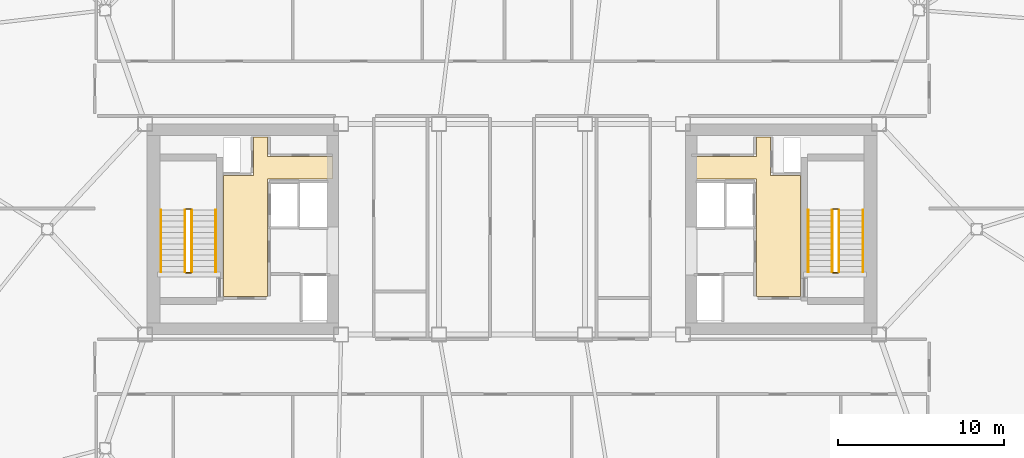
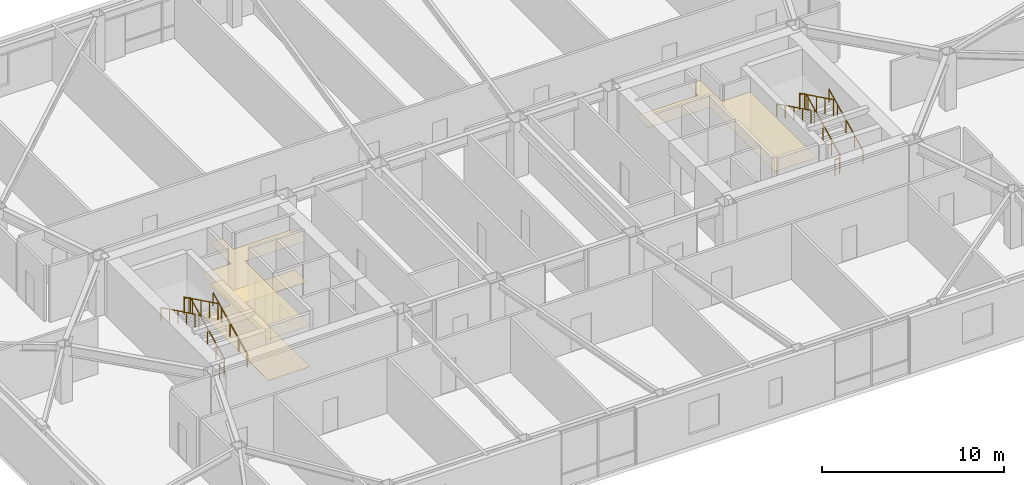
# One storey, part 18 of 18: 12 railings, 3 coverings.
"""IFC4 building model written with IfcOpenShell, lengths in metres."""

from ifc_helpers import new_model, si_unit, direction, frame, origin, origin_2d, place, context, subcontext, project, spatial, polyline, rectangle, outline, extrude, material, layer, layer_set, type_object, element, save


model = new_model("IFC4")

# Units and contexts
model_context = context("Model", 3, precision=1e-05, world=origin(), true_north=direction((0.0, 1.0)))
body_context = subcontext(model_context, "Body", "Model", "MODEL_VIEW")
ifc_project = project(units=[si_unit("LENGTHUNIT", "METRE"), si_unit("AREAUNIT", "SQUARE_METRE"), si_unit("VOLUMEUNIT", "CUBIC_METRE"), si_unit("PLANEANGLEUNIT", "RADIAN"), si_unit("MASSUNIT", "GRAM", prefix="KILO")], contexts=[model_context])

# Site, building, storey
site_placement = place(None, origin())
site = spatial("IfcSite", under=ifc_project, at=site_placement, CompositionType="ELEMENT")
building_placement = place(site_placement, origin())
building = spatial("IfcBuilding", under=site, at=building_placement, Name="Tavrogorsk Clinical Tower", CompositionType="ELEMENT")
storey_placement = place(building_placement, frame((0.0, 0.0, 196.199951171875)))
storey = spatial("IfcBuildingStorey", under=building, at=storey_placement, Name="L45", CompositionType="ELEMENT", Elevation=196.199951171875)

# Coverings
ifc_material_1 = material(Name="Antibacterial micro-perforated aluminium ceiling", Category="aluminium")
ifc_layer_1 = layer(ifc_material_1, 0.014892578125)
ifc_layer_set_1 = layer_set([ifc_layer_1], Name="Antibacterial micro-perforated aluminium ceiling")
covering_type_1 = type_object("IfcCoveringType", Name="ClinicalCeiling_15", PredefinedType="CEILING", material=ifc_layer_set_1)
covering_1_placement = place(storey_placement, frame((0.0, 0.0, 2.75)))
element("IfcCovering", 1, at=covering_1_placement, inside=storey, type_object=covering_type_1, Name="Core West Firefighting Lift Lobby Acoustic Ceiling", PredefinedType="CEILING", context=body_context, shape_type="SweptSolid", body=[
    extrude(outline(polyline([(-14.719970703125, 4.3798828125), (-10.800048828125, 4.3798828125), (-10.800048828125, 3.0400390625), (-14.719970703125, 3.0400390625), (-14.719970703125, -4.06005859375), (-17.3798828125, -4.06005859375), (-17.3798828125, 3.239990234375), (-15.56005859375, 3.239990234375), (-15.56005859375, 5.56005859375), (-14.719970703125, 5.56005859375), (-14.719970703125, 4.3798828125)])), origin(), (0.0, 0.0, 1.0), 0.01513671875),
])
covering_2_placement = place(storey_placement, frame((0.0, 0.0, 2.75)))
element("IfcCovering", 2, at=covering_2_placement, inside=storey, type_object=covering_type_1, Name="Core East Firefighting Lift Lobby Acoustic Ceiling", PredefinedType="CEILING", context=body_context, shape_type="SweptSolid", body=[
    extrude(outline(polyline([(14.719970703125, -4.06005859375), (14.719970703125, 3.0400390625), (10.800048828125, 3.0400390625), (10.800048828125, 4.3798828125), (14.719970703125, 4.3798828125), (14.719970703125, 5.56005859375), (15.56005859375, 5.56005859375), (15.56005859375, 3.239990234375), (17.3798828125, 3.239990234375), (17.3798828125, -4.06005859375), (14.719970703125, -4.06005859375)])), origin(), (0.0, 0.0, 1.0), 0.01513671875),
])
ifc_material_2 = material(Name="Homogeneous medical conductive PVC flooring")
ifc_layer_2 = layer(ifc_material_2, 0.008056640625)
ifc_layer_set_2 = layer_set([ifc_layer_2], Name="Homogeneous medical conductive PVC flooring")
covering_type_2 = type_object("IfcCoveringType", Name="ResilientVinylFloor_8", PredefinedType="FLOORING", material=ifc_layer_set_2)
covering_3_placement = place(storey_placement, origin())
element("IfcCovering", 3, at=covering_3_placement, inside=storey, type_object=covering_type_2, Name="Core West Firefighting Lift Lobby Conductive Vinyl Flooring", PredefinedType="FLOORING", context=body_context, shape_type="SweptSolid", body=[
    extrude(outline(polyline([(-14.719970703125, 4.3798828125), (-10.800048828125, 4.3798828125), (-10.800048828125, 3.0400390625), (-14.719970703125, 3.0400390625), (-14.719970703125, -4.06005859375), (-17.3798828125, -4.06005859375), (-17.3798828125, 3.239990234375), (-15.56005859375, 3.239990234375), (-15.56005859375, 5.56005859375), (-14.719970703125, 5.56005859375), (-14.719970703125, 4.3798828125)])), origin(), (0.0, 0.0, 1.0), 0.008056640625),
])

# Railings
ifc_material_3 = material(Name="Galvanised steel S355 safety stairwell guard", Category="steel")
ifc_layer_3 = layer(ifc_material_3, 0.06005859375)
ifc_layer_set_3 = layer_set([ifc_layer_3], Name="Galvanised steel S355 safety stairwell guard")
railing_type_1 = type_object("IfcRailingType", Name="StairGuard_1150", PredefinedType="GUARDRAIL", material=ifc_layer_set_3)
railing_1_placement = place(storey_placement, frame((-19.300048828125, -2.574951171875, 0.166748046875)))
element("IfcRailing", 4, at=railing_1_placement, inside=storey, type_object=railing_type_1, Name="L45 ST-W stair guard 1", PredefinedType="GUARDRAIL", context=body_context, shape_type="SweptSolid", body=[
    extrude(rectangle(XDim=0.048095703125, YDim=0.048095703125, at=origin_2d()), frame((0.0, 0.0, 1.076171875), z_axis=(0.0, 0.897927990467, 0.440142390523), x_axis=(-1.0, 0.0, 0.0)), (0.0, 0.0, 1.0), 4.1650390625),
    extrude(rectangle(XDim=0.0419921875, YDim=0.0419921875, at=origin_2d()), origin(), (0.0, 0.0, 1.0), 1.052001953125),
    extrude(rectangle(XDim=0.0419921875, YDim=0.0419921875, at=origin_2d()), frame((0.0, 0.93505859375, 0.458251953125)), (0.0, 0.0, 1.0), 1.052001953125),
    extrude(rectangle(XDim=0.0419921875, YDim=0.0419921875, at=origin_2d()), frame((0.0, 1.8701171875, 0.91650390625)), (0.0, 0.0, 1.0), 1.052001953125),
    extrude(rectangle(XDim=0.0419921875, YDim=0.0419921875, at=origin_2d()), frame((0.0, 2.804931640625, 1.375)), (0.0, 0.0, 1.0), 1.052001953125),
    extrude(rectangle(XDim=0.0419921875, YDim=0.0419921875, at=origin_2d()), frame((0.0, 3.739990234375, 1.833251953125)), (0.0, 0.0, 1.0), 1.052001953125),
])
railing_2_placement = place(storey_placement, frame((-19.35009765625, 1.215087890625, 2.0)))
element("IfcRailing", 5, at=railing_2_placement, inside=storey, type_object=railing_type_1, Name="L45 ST-W stair guard 2", PredefinedType="GUARDRAIL", context=body_context, shape_type="SweptSolid", body=[
    extrude(rectangle(XDim=0.048095703125, YDim=0.048095703125, at=origin_2d()), frame((0.0, 0.0, 1.076171875), z_axis=(-1.0, 0.0, 0.0), x_axis=(0.0, -1.0, 0.0)), (0.0, 0.0, 1.0), 0.2998046875),
    extrude(rectangle(XDim=0.0419921875, YDim=0.0419921875, at=origin_2d()), origin(), (0.0, 0.0, 1.0), 1.052001953125),
    extrude(rectangle(XDim=0.0419921875, YDim=0.0419921875, at=origin_2d()), frame((-0.2998046875, 0.0, 0.0)), (0.0, 0.0, 1.0), 1.052001953125),
])
railing_3_placement = place(storey_placement, frame((-19.699951171875, 1.1650390625, 2.166748046875)))
element("IfcRailing", 6, at=railing_3_placement, inside=storey, type_object=railing_type_1, Name="L45 ST-W stair guard 3", PredefinedType="GUARDRAIL", context=body_context, shape_type="SweptSolid", body=[
    extrude(rectangle(XDim=0.048095703125, YDim=0.048095703125, at=origin_2d()), frame((0.0, 0.0, 1.076171875), z_axis=(0.0, -0.897927990467, 0.440142390523), x_axis=(1.0, 0.0, 0.0)), (0.0, 0.0, 1.0), 4.1650390625),
    extrude(rectangle(XDim=0.0419921875, YDim=0.0419921875, at=origin_2d()), origin(), (0.0, 0.0, 1.0), 1.052001953125),
    extrude(rectangle(XDim=0.0419921875, YDim=0.0419921875, at=origin_2d()), frame((0.0, -0.93505859375, 0.458251953125)), (0.0, 0.0, 1.0), 1.052001953125),
    extrude(rectangle(XDim=0.0419921875, YDim=0.0419921875, at=origin_2d()), frame((0.0, -1.8701171875, 0.91650390625)), (0.0, 0.0, 1.0), 1.052001953125),
    extrude(rectangle(XDim=0.0419921875, YDim=0.0419921875, at=origin_2d()), frame((0.0, -2.804931640625, 1.375)), (0.0, 0.0, 1.0), 1.052001953125),
    extrude(rectangle(XDim=0.0419921875, YDim=0.0419921875, at=origin_2d()), frame((0.0, -3.739990234375, 1.833251953125)), (0.0, 0.0, 1.0), 1.052001953125),
])
railing_4_placement = place(storey_placement, frame((-19.35009765625, -2.625, 0.0)))
element("IfcRailing", 7, at=railing_4_placement, inside=storey, type_object=railing_type_1, Name="L45 ST-W stair guard 4", PredefinedType="GUARDRAIL", context=body_context, shape_type="SweptSolid", body=[
    extrude(rectangle(XDim=0.048095703125, YDim=0.048095703125, at=origin_2d()), frame((0.0, 0.0, 1.076171875), z_axis=(-1.0, 0.0, 0.0), x_axis=(0.0, -1.0, 0.0)), (0.0, 0.0, 1.0), 0.2998046875),
    extrude(rectangle(XDim=0.0419921875, YDim=0.0419921875, at=origin_2d()), origin(), (0.0, 0.0, 1.0), 1.052001953125),
    extrude(rectangle(XDim=0.0419921875, YDim=0.0419921875, at=origin_2d()), frame((-0.2998046875, 0.0, 0.0)), (0.0, 0.0, 1.0), 1.052001953125),
])
railing_5_placement = place(storey_placement, frame((19.699951171875, -2.574951171875, 0.166748046875)))
element("IfcRailing", 8, at=railing_5_placement, inside=storey, type_object=railing_type_1, Name="L45 ST-E stair guard 1", PredefinedType="GUARDRAIL", context=body_context, shape_type="SweptSolid", body=[
    extrude(rectangle(XDim=0.048095703125, YDim=0.048095703125, at=origin_2d()), frame((0.0, 0.0, 1.076171875), z_axis=(0.0, 0.897927990467, 0.440142390523), x_axis=(-1.0, 0.0, 0.0)), (0.0, 0.0, 1.0), 4.1650390625),
    extrude(rectangle(XDim=0.0419921875, YDim=0.0419921875, at=origin_2d()), origin(), (0.0, 0.0, 1.0), 1.052001953125),
    extrude(rectangle(XDim=0.0419921875, YDim=0.0419921875, at=origin_2d()), frame((0.0, 0.93505859375, 0.458251953125)), (0.0, 0.0, 1.0), 1.052001953125),
    extrude(rectangle(XDim=0.0419921875, YDim=0.0419921875, at=origin_2d()), frame((0.0, 1.8701171875, 0.91650390625)), (0.0, 0.0, 1.0), 1.052001953125),
    extrude(rectangle(XDim=0.0419921875, YDim=0.0419921875, at=origin_2d()), frame((0.0, 2.804931640625, 1.375)), (0.0, 0.0, 1.0), 1.052001953125),
    extrude(rectangle(XDim=0.0419921875, YDim=0.0419921875, at=origin_2d()), frame((0.0, 3.739990234375, 1.833251953125)), (0.0, 0.0, 1.0), 1.052001953125),
])
railing_6_placement = place(storey_placement, frame((19.64990234375, 1.215087890625, 2.0)))
element("IfcRailing", 9, at=railing_6_placement, inside=storey, type_object=railing_type_1, Name="L45 ST-E stair guard 2", PredefinedType="GUARDRAIL", context=body_context, shape_type="SweptSolid", body=[
    extrude(rectangle(XDim=0.048095703125, YDim=0.048095703125, at=origin_2d()), frame((0.0, 0.0, 1.076171875), z_axis=(-1.0, 0.0, 0.0), x_axis=(0.0, -1.0, 0.0)), (0.0, 0.0, 1.0), 0.2998046875),
    extrude(rectangle(XDim=0.0419921875, YDim=0.0419921875, at=origin_2d()), origin(), (0.0, 0.0, 1.0), 1.052001953125),
    extrude(rectangle(XDim=0.0419921875, YDim=0.0419921875, at=origin_2d()), frame((-0.2998046875, 0.0, 0.0)), (0.0, 0.0, 1.0), 1.052001953125),
])
railing_7_placement = place(storey_placement, frame((19.300048828125, 1.1650390625, 2.166748046875)))
element("IfcRailing", 10, at=railing_7_placement, inside=storey, type_object=railing_type_1, Name="L45 ST-E stair guard 3", PredefinedType="GUARDRAIL", context=body_context, shape_type="SweptSolid", body=[
    extrude(rectangle(XDim=0.048095703125, YDim=0.048095703125, at=origin_2d()), frame((0.0, 0.0, 1.076171875), z_axis=(0.0, -0.897927990467, 0.440142390523), x_axis=(1.0, 0.0, 0.0)), (0.0, 0.0, 1.0), 4.1650390625),
    extrude(rectangle(XDim=0.0419921875, YDim=0.0419921875, at=origin_2d()), origin(), (0.0, 0.0, 1.0), 1.052001953125),
    extrude(rectangle(XDim=0.0419921875, YDim=0.0419921875, at=origin_2d()), frame((0.0, -0.93505859375, 0.458251953125)), (0.0, 0.0, 1.0), 1.052001953125),
    extrude(rectangle(XDim=0.0419921875, YDim=0.0419921875, at=origin_2d()), frame((0.0, -1.8701171875, 0.91650390625)), (0.0, 0.0, 1.0), 1.052001953125),
    extrude(rectangle(XDim=0.0419921875, YDim=0.0419921875, at=origin_2d()), frame((0.0, -2.804931640625, 1.375)), (0.0, 0.0, 1.0), 1.052001953125),
    extrude(rectangle(XDim=0.0419921875, YDim=0.0419921875, at=origin_2d()), frame((0.0, -3.739990234375, 1.833251953125)), (0.0, 0.0, 1.0), 1.052001953125),
])
railing_8_placement = place(storey_placement, frame((19.64990234375, -2.625, 0.0)))
element("IfcRailing", 11, at=railing_8_placement, inside=storey, type_object=railing_type_1, Name="L45 ST-E stair guard 4", PredefinedType="GUARDRAIL", context=body_context, shape_type="SweptSolid", body=[
    extrude(rectangle(XDim=0.048095703125, YDim=0.048095703125, at=origin_2d()), frame((0.0, 0.0, 1.076171875), z_axis=(-1.0, 0.0, 0.0), x_axis=(0.0, -1.0, 0.0)), (0.0, 0.0, 1.0), 0.2998046875),
    extrude(rectangle(XDim=0.0419921875, YDim=0.0419921875, at=origin_2d()), origin(), (0.0, 0.0, 1.0), 1.052001953125),
    extrude(rectangle(XDim=0.0419921875, YDim=0.0419921875, at=origin_2d()), frame((-0.2998046875, 0.0, 0.0)), (0.0, 0.0, 1.0), 1.052001953125),
])
ifc_material_4 = material(Name="Stainless steel AISI 304 tubular handrail", Category="steel")
ifc_layer_4 = layer(ifc_material_4, 0.050048828125)
ifc_layer_set_4 = layer_set([ifc_layer_4], Name="Stainless steel AISI 304 tubular handrail")
railing_type_2 = type_object("IfcRailingType", Name="StairHandrail_920", PredefinedType="HANDRAIL", material=ifc_layer_set_4)
railing_9_placement = place(storey_placement, frame((-17.85009765625, -2.574951171875, 0.166748046875)))
element("IfcRailing", 12, at=railing_9_placement, inside=storey, type_object=railing_type_2, Name="L45 ST-W stair handrail 1", PredefinedType="HANDRAIL", context=body_context, shape_type="SweptSolid", body=[
    extrude(rectangle(XDim=0.048095703125, YDim=0.048095703125, at=origin_2d()), frame((0.0, 0.0, 0.8759765625), z_axis=(0.0, 0.897927990467, 0.440142390523), x_axis=(-1.0, 0.0, 0.0)), (0.0, 0.0, 1.0), 4.1650390625),
    extrude(rectangle(XDim=0.0419921875, YDim=0.0419921875, at=origin_2d()), origin(), (0.0, 0.0, 1.0), 0.851806640625),
    extrude(rectangle(XDim=0.0419921875, YDim=0.0419921875, at=origin_2d()), frame((0.0, 0.93505859375, 0.458251953125)), (0.0, 0.0, 1.0), 0.851806640625),
    extrude(rectangle(XDim=0.0419921875, YDim=0.0419921875, at=origin_2d()), frame((0.0, 1.8701171875, 0.91650390625)), (0.0, 0.0, 1.0), 0.851806640625),
    extrude(rectangle(XDim=0.0419921875, YDim=0.0419921875, at=origin_2d()), frame((0.0, 2.804931640625, 1.375)), (0.0, 0.0, 1.0), 0.851806640625),
    extrude(rectangle(XDim=0.0419921875, YDim=0.0419921875, at=origin_2d()), frame((0.0, 3.739990234375, 1.833251953125)), (0.0, 0.0, 1.0), 0.851806640625),
])
railing_10_placement = place(storey_placement, frame((-21.14990234375, 1.1650390625, 2.166748046875)))
element("IfcRailing", 13, at=railing_10_placement, inside=storey, type_object=railing_type_2, Name="L45 ST-W stair handrail 2", PredefinedType="HANDRAIL", context=body_context, shape_type="SweptSolid", body=[
    extrude(rectangle(XDim=0.048095703125, YDim=0.048095703125, at=origin_2d()), frame((0.0, 0.0, 0.8759765625), z_axis=(0.0, -0.897927990467, 0.440142390523), x_axis=(1.0, 0.0, 0.0)), (0.0, 0.0, 1.0), 4.1650390625),
    extrude(rectangle(XDim=0.0419921875, YDim=0.0419921875, at=origin_2d()), origin(), (0.0, 0.0, 1.0), 0.851806640625),
    extrude(rectangle(XDim=0.0419921875, YDim=0.0419921875, at=origin_2d()), frame((0.0, -0.93505859375, 0.458251953125)), (0.0, 0.0, 1.0), 0.851806640625),
    extrude(rectangle(XDim=0.0419921875, YDim=0.0419921875, at=origin_2d()), frame((0.0, -1.8701171875, 0.91650390625)), (0.0, 0.0, 1.0), 0.851806640625),
    extrude(rectangle(XDim=0.0419921875, YDim=0.0419921875, at=origin_2d()), frame((0.0, -2.804931640625, 1.375)), (0.0, 0.0, 1.0), 0.851806640625),
    extrude(rectangle(XDim=0.0419921875, YDim=0.0419921875, at=origin_2d()), frame((0.0, -3.739990234375, 1.833251953125)), (0.0, 0.0, 1.0), 0.851806640625),
])
railing_11_placement = place(storey_placement, frame((21.14990234375, -2.574951171875, 0.166748046875)))
element("IfcRailing", 14, at=railing_11_placement, inside=storey, type_object=railing_type_2, Name="L45 ST-E stair handrail 1", PredefinedType="HANDRAIL", context=body_context, shape_type="SweptSolid", body=[
    extrude(rectangle(XDim=0.048095703125, YDim=0.048095703125, at=origin_2d()), frame((0.0, 0.0, 0.8759765625), z_axis=(0.0, 0.897927990467, 0.440142390523), x_axis=(-1.0, 0.0, 0.0)), (0.0, 0.0, 1.0), 4.1650390625),
    extrude(rectangle(XDim=0.0419921875, YDim=0.0419921875, at=origin_2d()), origin(), (0.0, 0.0, 1.0), 0.851806640625),
    extrude(rectangle(XDim=0.0419921875, YDim=0.0419921875, at=origin_2d()), frame((0.0, 0.93505859375, 0.458251953125)), (0.0, 0.0, 1.0), 0.851806640625),
    extrude(rectangle(XDim=0.0419921875, YDim=0.0419921875, at=origin_2d()), frame((0.0, 1.8701171875, 0.91650390625)), (0.0, 0.0, 1.0), 0.851806640625),
    extrude(rectangle(XDim=0.0419921875, YDim=0.0419921875, at=origin_2d()), frame((0.0, 2.804931640625, 1.375)), (0.0, 0.0, 1.0), 0.851806640625),
    extrude(rectangle(XDim=0.0419921875, YDim=0.0419921875, at=origin_2d()), frame((0.0, 3.739990234375, 1.833251953125)), (0.0, 0.0, 1.0), 0.851806640625),
])
railing_12_placement = place(storey_placement, frame((17.85009765625, 1.1650390625, 2.166748046875)))
element("IfcRailing", 15, at=railing_12_placement, inside=storey, type_object=railing_type_2, Name="L45 ST-E stair handrail 2", PredefinedType="HANDRAIL", context=body_context, shape_type="SweptSolid", body=[
    extrude(rectangle(XDim=0.048095703125, YDim=0.048095703125, at=origin_2d()), frame((0.0, 0.0, 0.8759765625), z_axis=(0.0, -0.897927990467, 0.440142390523), x_axis=(1.0, 0.0, 0.0)), (0.0, 0.0, 1.0), 4.1650390625),
    extrude(rectangle(XDim=0.0419921875, YDim=0.0419921875, at=origin_2d()), origin(), (0.0, 0.0, 1.0), 0.851806640625),
    extrude(rectangle(XDim=0.0419921875, YDim=0.0419921875, at=origin_2d()), frame((0.0, -0.93505859375, 0.458251953125)), (0.0, 0.0, 1.0), 0.851806640625),
    extrude(rectangle(XDim=0.0419921875, YDim=0.0419921875, at=origin_2d()), frame((0.0, -1.8701171875, 0.91650390625)), (0.0, 0.0, 1.0), 0.851806640625),
    extrude(rectangle(XDim=0.0419921875, YDim=0.0419921875, at=origin_2d()), frame((0.0, -2.804931640625, 1.375)), (0.0, 0.0, 1.0), 0.851806640625),
    extrude(rectangle(XDim=0.0419921875, YDim=0.0419921875, at=origin_2d()), frame((0.0, -3.739990234375, 1.833251953125)), (0.0, 0.0, 1.0), 0.851806640625),
])

save(model, "model.ifc")
